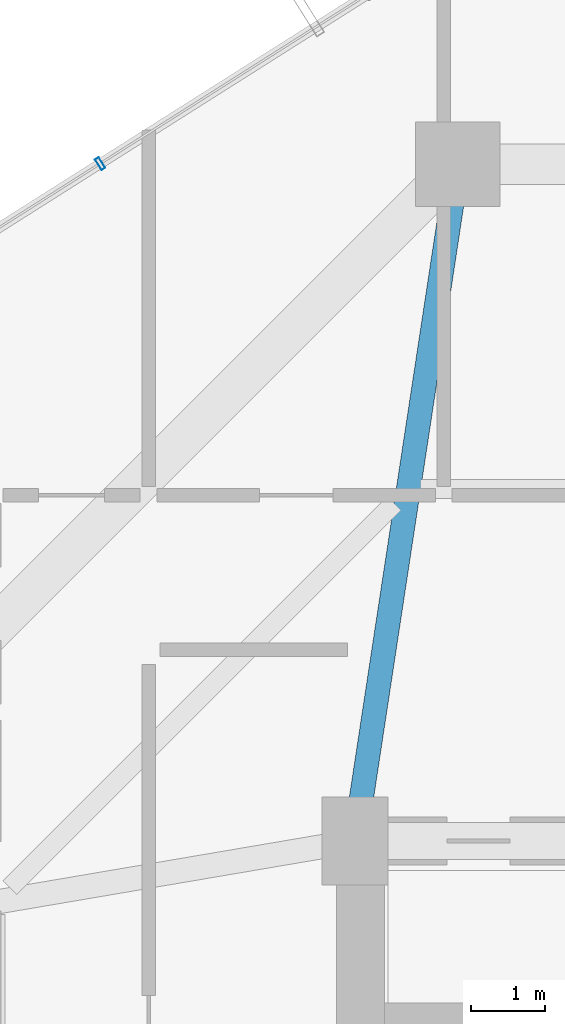
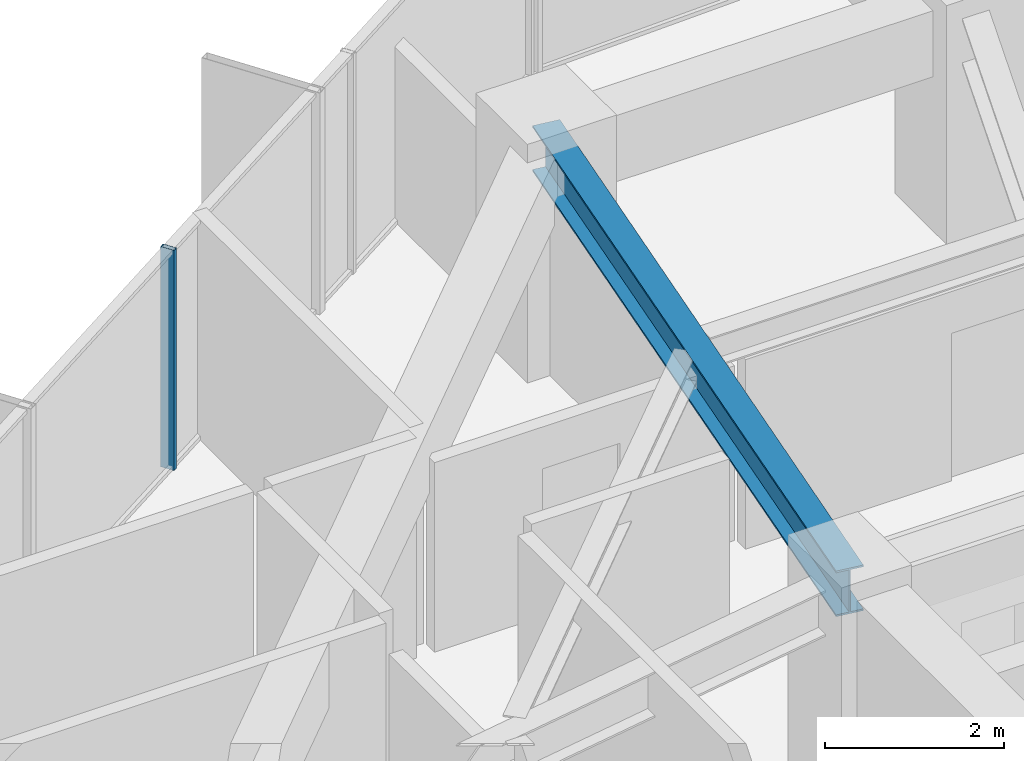
# One storey, part 18 of 32: 1 beam, 1 member, 1 element without a shape of its own.
"""IFC4 building model written with IfcOpenShell, lengths in metres."""

from ifc_helpers import new_model, si_unit, direction, frame, origin, origin_2d, place, context, subcontext, project, spatial, hollow_rectangle, i_section, extrude, source, transform, mapped, material, layer, layer_set, material_profile, profile_set, type_object, element, aggregate, save


model = new_model("IFC4")

# Units and contexts
model_context = context("Model", 3, precision=1e-05, world=origin(), true_north=direction((0.0, 1.0)))
body_context = subcontext(model_context, "Body", "Model", "MODEL_VIEW")
ifc_project = project(units=[si_unit("LENGTHUNIT", "METRE"), si_unit("AREAUNIT", "SQUARE_METRE"), si_unit("VOLUMEUNIT", "CUBIC_METRE"), si_unit("PLANEANGLEUNIT", "RADIAN"), si_unit("MASSUNIT", "GRAM", prefix="KILO")], contexts=[model_context])

# Site, building, storey
site_placement = place(None, origin())
site = spatial("IfcSite", under=ifc_project, at=site_placement, CompositionType="ELEMENT")
building_placement = place(site_placement, origin())
building = spatial("IfcBuilding", under=site, at=building_placement, Name="Veraguas Prism Commons", CompositionType="ELEMENT")
storey_placement = place(building_placement, frame((0.0, 0.0, 136.0)))
storey = spatial("IfcBuildingStorey", under=building, at=storey_placement, Name="L38", CompositionType="ELEMENT", Elevation=136.0)

# Beam
ifc_material_1 = material(Name="Steel ASTM A992 Grade 50", Category="steel")
ifc_material_profile_1 = material_profile(ifc_material_1, i_section(OverallWidth=0.327880859375, OverallDepth=0.6220703125, WebThickness=0.015380859375, FlangeThickness=0.0244140625, at=origin_2d()), Name="W610X195")
ifc_profile_set_1 = profile_set([ifc_material_profile_1], Name="Steel ASTM A992 Grade 50")
beam_type = type_object("IfcBeamType", Name="Zone 2 Radial Girder W610x195", PredefinedType="BEAM", material=ifc_profile_set_1)
beam_placement = place(storey_placement, frame((18.60009765625, 40.199951171875, 2.68896484375), z_axis=(-0.150458162136, -0.98861637729, 0.0), x_axis=(0.98861637729, -0.150458162136, 0.0)))
element("IfcBeam", 1, at=beam_placement, inside=storey, type_object=beam_type, Name="Radial Floor Girder L38-RD06", PredefinedType="BEAM", context=body_context, shape_type="SweptSolid", body=[
    extrude(i_section(OverallWidth=0.327880859375, OverallDepth=0.6220703125, WebThickness=0.015380859375, FlangeThickness=0.0244140625, at=origin_2d()), origin(), (0.0, 0.0, 1.0), 9.305908203125),
])

# Curtain wall, member
ifc_material_2 = material(Name="Anodised aluminium EN AW-6063 T6", Category="aluminium")
ifc_layer = layer(ifc_material_2, 0.169921875, Name="Unitised Flush Curtain Wall Zone 2", Category="aluminium")
ifc_layer_set = layer_set([ifc_layer], Name="Anodised aluminium EN AW-6063 T6")
curtain_wall_type = type_object("IfcCurtainWallType", Name="Unitised Flush Curtain Wall Zone 2", PredefinedType="NOTDEFINED", material=ifc_layer_set)
curtain_wall_placement = place(storey_placement, origin())
curtain_wall = element("IfcCurtainWall", 2, at=curtain_wall_placement, inside=storey, type_object=curtain_wall_type, Name="Tower Facade Curtain Wall L38-F2", PredefinedType="NOTDEFINED")
ifc_material_profile_2 = material_profile(ifc_material_2, hollow_rectangle(XDim=0.06005859375, YDim=0.169921875, WallThickness=0.00390625, at=origin_2d()), Name="AL60X170X4")
ifc_profile_set_2 = profile_set([ifc_material_profile_2], Name="Anodised aluminium EN AW-6063 T6")
member_type = type_object("IfcMemberType", Name="Curtain Wall Mullion Lower AL 60x170x4", PredefinedType="MULLION", material=ifc_profile_set_2)
shared_shape = source(origin(), body_context, "Body", "SweptSolid", [
    extrude(hollow_rectangle(XDim=0.06005859375, YDim=0.169921875, WallThickness=0.00390625, at=origin_2d()), origin(), (0.0, 0.0, 1.0), 3.0),
])
member_placement = place(storey_placement, frame((13.738525390625, 40.20703125, 0.0), z_axis=(0.0, 0.0, 1.0), x_axis=(-0.844887645301, -0.534943797813, 0.0)))
member = element("IfcMember", 3, at=member_placement, type_object=member_type, Name="CW-Z2 Mullion 3", PredefinedType="MULLION", context=body_context, shape_type="MappedRepresentation", body=[
    mapped(shared_shape, transform((0.0, 0.0, 0.0), scale=1.0)),
])
aggregate(curtain_wall, [member])

save(model, "model.ifc")
